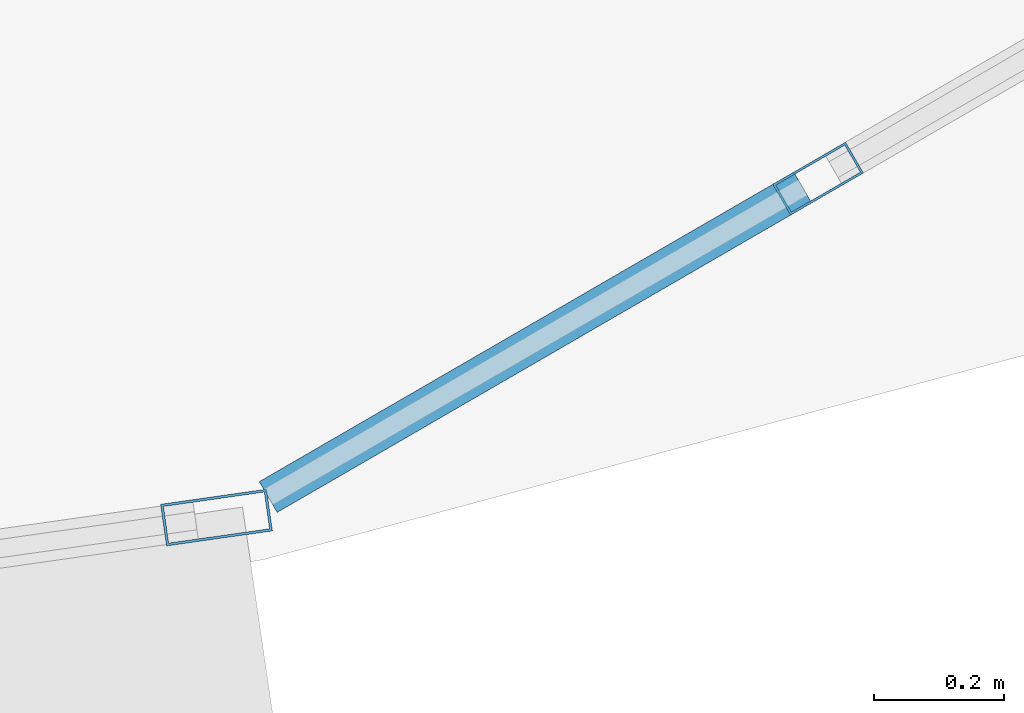
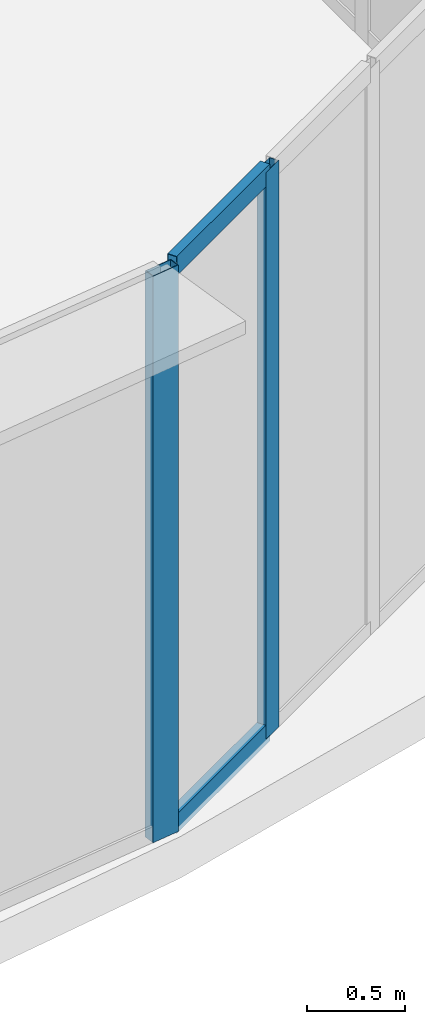
# One storey, part 20 of 39: 4 members, 2 elements without a shape of their own.
"""IFC4 building model written with IfcOpenShell, lengths in metres."""

from ifc_helpers import new_model, si_unit, direction, frame, origin, origin_2d, place, context, subcontext, project, spatial, hollow_rectangle, extrude, source, transform, mapped, material, layer, layer_set, material_profile, profile_set, type_object, element, aggregate, save


model = new_model("IFC4")

# Units and contexts
model_context = context("Model", 3, precision=1e-05, world=origin(), true_north=direction((0.0, 1.0)))
body_context = subcontext(model_context, "Body", "Model", "MODEL_VIEW")
ifc_project = project(units=[si_unit("LENGTHUNIT", "METRE"), si_unit("AREAUNIT", "SQUARE_METRE"), si_unit("VOLUMEUNIT", "CUBIC_METRE"), si_unit("PLANEANGLEUNIT", "RADIAN"), si_unit("MASSUNIT", "GRAM", prefix="KILO"), si_unit("THERMODYNAMICTEMPERATUREUNIT", "KELVIN"), si_unit("POWERUNIT", "WATT")], contexts=[model_context])

# Site, building, storey
site_placement = place(None, origin())
site = spatial("IfcSite", under=ifc_project, at=site_placement, CompositionType="ELEMENT")
building_placement = place(site_placement, origin())
building = spatial("IfcBuilding", under=site, at=building_placement, Name="Yunzhuo Pagoda Commons", CompositionType="ELEMENT")
storey_placement = place(building_placement, frame((0.0, 0.0, 96.3798828125)))
storey = spatial("IfcBuildingStorey", under=building, at=storey_placement, Name="L24", CompositionType="ELEMENT", Elevation=96.3798828125)

# Curtain wall, member
ifc_material = material(Name="Anodized aluminium 6063-T6", Category="aluminium")
ifc_layer_1 = layer(ifc_material, 0.1650390625)
ifc_layer_set_1 = layer_set([ifc_layer_1], Name="Anodized aluminium 6063-T6")
curtain_wall_type_1 = type_object("IfcCurtainWallType", Name="CW-LOW Low-Zone Ribbon Curtain Wall", PredefinedType="NOTDEFINED", material=ifc_layer_set_1)
curtain_wall_1_placement = place(storey_placement, origin())
curtain_wall_1 = element("IfcCurtainWall", 1, at=curtain_wall_1_placement, inside=storey, type_object=curtain_wall_type_1, Name="L24 curtain wall CW-L24-F1B5", PredefinedType="NOTDEFINED")
ifc_material_profile_1 = material_profile(ifc_material, hollow_rectangle(XDim=0.06494140625, YDim=0.1650390625, WallThickness=0.00390625, at=origin_2d()), Name="Anodized aluminium 6063-T6")
ifc_profile_set_1 = profile_set([ifc_material_profile_1], Name="Anodized aluminium 6063-T6")
member_type_1 = type_object("IfcMemberType", Name="CW-LOW-M Mullion RHS 165x65x4", PredefinedType="MULLION", material=ifc_profile_set_1)
shared_shape_1 = source(origin(), body_context, "Body", "SweptSolid", [
    extrude(hollow_rectangle(XDim=0.06494140625, YDim=0.1650390625, WallThickness=0.00390625, at=origin_2d()), origin(), (0.0, 0.0, 1.0), 3.5400390625),
])
member_1_placement = place(storey_placement, frame((85.2880859375, 15.32568359375, 0.0), z_axis=(0.0, 0.0, 1.0), x_axis=(-0.140773671614, 0.990041803855, 0.0)))
member_1 = element("IfcMember", 2, at=member_1_placement, type_object=member_type_1, Name="CW mullion 2", PredefinedType="MULLION", context=body_context, shape_type="MappedRepresentation", body=[
    mapped(shared_shape_1, transform((0.0, 0.0, 0.0), scale=1.0)),
])
aggregate(curtain_wall_1, [member_1])

# Curtain wall, members
ifc_layer_2 = layer(ifc_material, 0.1298828125)
ifc_layer_set_2 = layer_set([ifc_layer_2], Name="Anodized aluminium 6063-T6")
curtain_wall_type_2 = type_object("IfcCurtainWallType", Name="CW-VTX Rounded Corner Curtain Wall", PredefinedType="NOTDEFINED", material=ifc_layer_set_2)
curtain_wall_2_placement = place(storey_placement, origin())
curtain_wall_2 = element("IfcCurtainWall", 3, at=curtain_wall_2_placement, inside=storey, type_object=curtain_wall_type_2, Name="L24 curtain wall CW-L24-VTX2S1", PredefinedType="NOTDEFINED")
ifc_material_profile_2 = material_profile(ifc_material, hollow_rectangle(XDim=0.054931640625, YDim=0.1298828125, WallThickness=0.00341796875, at=origin_2d()), Name="Anodized aluminium 6063-T6")
ifc_profile_set_2 = profile_set([ifc_material_profile_2], Name="Anodized aluminium 6063-T6")
member_type_2 = type_object("IfcMemberType", Name="CW-VTX-M Mullion RHS 130x55x3.5", PredefinedType="MULLION", material=ifc_profile_set_2)
shared_shape_2 = source(origin(), body_context, "Body", "SweptSolid", [
    extrude(hollow_rectangle(XDim=0.054931640625, YDim=0.1298828125, WallThickness=0.00341796875, at=origin_2d()), origin(), (0.0, 0.0, 1.0), 3.5400390625),
])
member_2_placement = place(storey_placement, frame((86.21630859375, 15.8486328125, 0.0), z_axis=(0.0, 0.0, 1.0), x_axis=(-0.501035509214, 0.865426726249, 0.0)))
member_2 = element("IfcMember", 4, at=member_2_placement, type_object=member_type_2, Name="CW mullion 2", PredefinedType="MULLION", context=body_context, shape_type="MappedRepresentation", body=[
    mapped(shared_shape_2, transform((0.0, 0.0, 0.0), scale=1.0)),
])
ifc_material_profile_3 = material_profile(ifc_material, hollow_rectangle(XDim=0.054931640625, YDim=0.1201171875, WallThickness=0.00341796875, at=origin_2d()), Name="Anodized aluminium 6063-T6")
ifc_profile_set_3 = profile_set([ifc_material_profile_3], Name="Anodized aluminium 6063-T6")
member_type_3 = type_object("IfcMemberType", Name="CW-VTX-T Transom RHS 120x55x3.5", PredefinedType="USERDEFINED", material=ifc_profile_set_3)
shared_shape_3 = source(origin(), body_context, "Body", "SweptSolid", [
    extrude(hollow_rectangle(XDim=0.054931640625, YDim=0.1201171875, WallThickness=0.00341796875, at=origin_2d()), origin(), (0.0, 0.0, 1.0), 0.952880859375),
])
member_3_placement = place(storey_placement, frame((85.367919921875, 15.357421875, 0.027587890625), z_axis=(0.865391204156, 0.501096860666, 0.0), x_axis=(-0.501096860666, 0.865391204156, 0.0)))
member_3 = element("IfcMember", 5, at=member_3_placement, type_object=member_type_3, Name="CW transom 1.1", ObjectType="TRANSOM", PredefinedType="USERDEFINED", context=body_context, shape_type="MappedRepresentation", body=[
    mapped(shared_shape_3, transform((0.0, 0.0, 0.0), scale=1.0)),
])
member_4_placement = place(storey_placement, frame((85.367919921875, 15.357421875, 3.5126953125), z_axis=(0.865391204156, 0.501096860666, 0.0), x_axis=(-0.501096860666, 0.865391204156, 0.0)))
member_4 = element("IfcMember", 6, at=member_4_placement, type_object=member_type_3, Name="CW transom 1.2", ObjectType="TRANSOM", PredefinedType="USERDEFINED", context=body_context, shape_type="MappedRepresentation", body=[
    mapped(shared_shape_3, transform((0.0, 0.0, 0.0), scale=1.0)),
])
aggregate(curtain_wall_2, [member_2, member_3, member_4])

save(model, "model.ifc")
